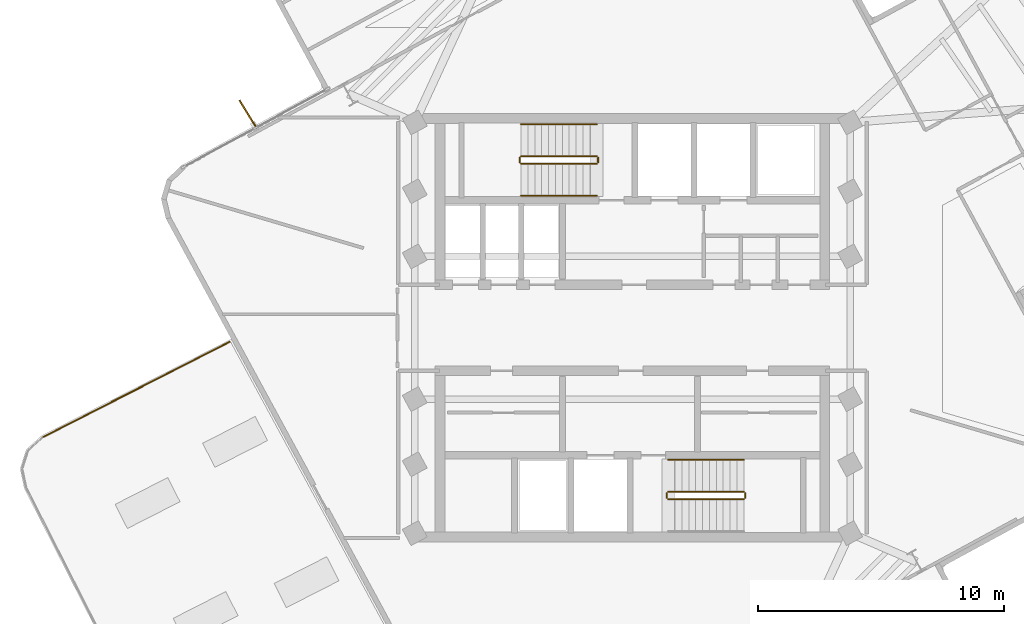
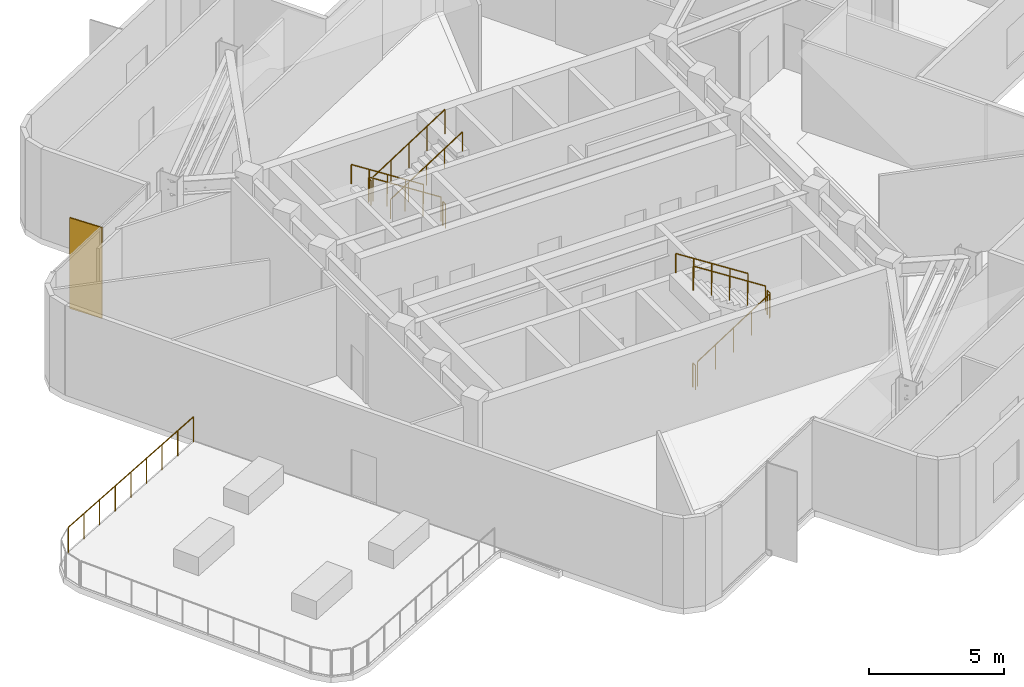
# One storey, part 8 of 10: 12 railings, 1 shading device.
"""IFC4 building model written with IfcOpenShell, lengths in metres."""

from ifc_helpers import new_model, si_unit, direction, frame, origin, origin_2d, place, context, subcontext, project, spatial, rectangle, circle, extrude, material, layer, layer_set, type_object, element, save


model = new_model("IFC4")

# Units and contexts
model_context = context("Model", 3, precision=1e-05, world=origin(), true_north=direction((0.0, 1.0)))
body_context = subcontext(model_context, "Body", "Model", "MODEL_VIEW")
ifc_project = project(units=[si_unit("LENGTHUNIT", "METRE"), si_unit("AREAUNIT", "SQUARE_METRE"), si_unit("VOLUMEUNIT", "CUBIC_METRE"), si_unit("PLANEANGLEUNIT", "RADIAN"), si_unit("MASSUNIT", "GRAM", prefix="KILO")], contexts=[model_context])

# Site, building, storey
site_placement = place(None, origin())
site = spatial("IfcSite", under=ifc_project, at=site_placement, CompositionType="ELEMENT")
building_placement = place(site_placement, origin())
building = spatial("IfcBuilding", under=site, at=building_placement, Name="Solmarez Civic Tower", CompositionType="ELEMENT")
storey_placement = place(building_placement, frame((0.0, 0.0, 200.8798828125)))
storey = spatial("IfcBuildingStorey", under=building, at=storey_placement, Name="L53", CompositionType="ELEMENT", Elevation=200.8798828125)

# Shading device
ifc_material_1 = material(Name="Bronze Anodised Aluminium EN AW-6063 T6", Category="aluminium")
ifc_layer = layer(ifc_material_1, 0.054931640625)
ifc_layer_set = layer_set([ifc_layer], Name="Bronze Anodised Aluminium EN AW-6063 T6")
shading_device_type = type_object("IfcShadingDeviceType", Name="FIN-BRONZE-Z56", PredefinedType="USERDEFINED", material=ifc_layer_set)
shading_device_placement = place(storey_placement, frame((-15.6220703125, 8.672119140625, -0.0400390625), z_axis=(0.0, 0.0, 1.0), x_axis=(-0.524312907, 0.851525675216, 0.0)))
element("IfcShadingDevice", 1, at=shading_device_placement, inside=storey, type_object=shading_device_type, Name="L53 Anodised Bronze Solar Fin FIN-L53-02", ObjectType="FIN", PredefinedType="USERDEFINED", context=body_context, shape_type="SweptSolid", body=[
    extrude(rectangle(XDim=1.35009765625, YDim=0.054931640625, at=origin_2d()), origin(), (0.0, 0.0, 1.0), 4.10009765625),
])

# Railings
ifc_material_2 = material(Name="Painted Steel Stairwell Safety Guard", Category="steel")
railing_type_1 = type_object("IfcRailingType", Name="GUARD-STAIR-1120", PredefinedType="BALUSTRADE", material=ifc_material_2)
railing_1_placement = place(storey_placement, frame((-1.449951171875, 6.969970703125, 0.18017578125)))
element("IfcRailing", 2, at=railing_1_placement, inside=storey, type_object=railing_type_1, Name="L53 ST-1 stair guard 1", PredefinedType="BALUSTRADE", context=body_context, shape_type="SweptSolid", body=[
    extrude(circle(Radius=0.02392578125, at=origin_2d()), frame((0.0, 0.0, 1.09619140625), z_axis=(-0.84118714077, 0.0, 0.540744111576), x_axis=(0.0, -1.0, 0.0)), (0.0, 0.0, 1.0), 3.66162109375),
    extrude(circle(Radius=0.02099609375, at=origin_2d()), origin(), (0.0, 0.0, 1.0), 1.072021484375),
    extrude(circle(Radius=0.02099609375, at=origin_2d()), frame((-0.77001953125, 0.0, 0.4951171875)), (0.0, 0.0, 1.0), 1.072021484375),
    extrude(circle(Radius=0.02099609375, at=origin_2d()), frame((-1.5400390625, 0.0, 0.989990234375)), (0.0, 0.0, 1.0), 1.072021484375),
    extrude(circle(Radius=0.02099609375, at=origin_2d()), frame((-2.31005859375, 0.0, 1.48486328125)), (0.0, 0.0, 1.0), 1.072021484375),
    extrude(circle(Radius=0.02099609375, at=origin_2d()), frame((-3.080078125, 0.0, 1.97998046875)), (0.0, 0.0, 1.0), 1.072021484375),
])
railing_2_placement = place(storey_placement, frame((-4.580078125, 6.919921875, 2.16015625)))
element("IfcRailing", 3, at=railing_2_placement, inside=storey, type_object=railing_type_1, Name="L53 ST-1 stair guard 2", PredefinedType="BALUSTRADE", context=body_context, shape_type="SweptSolid", body=[
    extrude(circle(Radius=0.02392578125, at=origin_2d()), frame((0.0, 0.0, 1.09619140625), z_axis=(0.0, -1.0, 0.0), x_axis=(1.0, 0.0, 0.0)), (0.0, 0.0, 1.0), 0.199951171875),
    extrude(circle(Radius=0.02099609375, at=origin_2d()), origin(), (0.0, 0.0, 1.0), 1.072021484375),
    extrude(circle(Radius=0.02099609375, at=origin_2d()), frame((0.0, -0.199951171875, 0.0)), (0.0, 0.0, 1.0), 1.072021484375),
])
railing_3_placement = place(storey_placement, frame((-4.530029296875, 6.669921875, 2.340087890625)))
element("IfcRailing", 4, at=railing_3_placement, inside=storey, type_object=railing_type_1, Name="L53 ST-1 stair guard 3", PredefinedType="BALUSTRADE", context=body_context, shape_type="SweptSolid", body=[
    extrude(circle(Radius=0.02392578125, at=origin_2d()), frame((0.0, 0.0, 1.09619140625), z_axis=(0.84118714077, 0.0, 0.540744111576), x_axis=(0.0, 1.0, 0.0)), (0.0, 0.0, 1.0), 3.66162109375),
    extrude(circle(Radius=0.02099609375, at=origin_2d()), origin(), (0.0, 0.0, 1.0), 1.072021484375),
    extrude(circle(Radius=0.02099609375, at=origin_2d()), frame((0.77001953125, 0.0, 0.4951171875)), (0.0, 0.0, 1.0), 1.072021484375),
    extrude(circle(Radius=0.02099609375, at=origin_2d()), frame((1.5400390625, 0.0, 0.989990234375)), (0.0, 0.0, 1.0), 1.072021484375),
    extrude(circle(Radius=0.02099609375, at=origin_2d()), frame((2.31005859375, 0.0, 1.48486328125)), (0.0, 0.0, 1.0), 1.072021484375),
    extrude(circle(Radius=0.02099609375, at=origin_2d()), frame((3.080078125, 0.0, 1.97998046875)), (0.0, 0.0, 1.0), 1.072021484375),
])
railing_4_placement = place(storey_placement, frame((-1.39990234375, 6.919921875, 0.0)))
element("IfcRailing", 5, at=railing_4_placement, inside=storey, type_object=railing_type_1, Name="L53 ST-1 stair guard 4", PredefinedType="BALUSTRADE", context=body_context, shape_type="SweptSolid", body=[
    extrude(circle(Radius=0.02392578125, at=origin_2d()), frame((0.0, 0.0, 1.09619140625), z_axis=(0.0, -1.0, 0.0), x_axis=(1.0, 0.0, 0.0)), (0.0, 0.0, 1.0), 0.199951171875),
    extrude(circle(Radius=0.02099609375, at=origin_2d()), origin(), (0.0, 0.0, 1.0), 1.072021484375),
    extrude(circle(Radius=0.02099609375, at=origin_2d()), frame((0.0, -0.199951171875, 0.0)), (0.0, 0.0, 1.0), 1.072021484375),
])
railing_5_placement = place(storey_placement, frame((1.449951171875, -6.969970703125, 0.18017578125)))
element("IfcRailing", 6, at=railing_5_placement, inside=storey, type_object=railing_type_1, Name="L53 ST-2 stair guard 1", PredefinedType="BALUSTRADE", context=body_context, shape_type="SweptSolid", body=[
    extrude(circle(Radius=0.02392578125, at=origin_2d()), frame((0.0, 0.0, 1.09619140625), z_axis=(0.84118714077, 0.0, 0.540744111576), x_axis=(0.0, 1.0, 0.0)), (0.0, 0.0, 1.0), 3.66162109375),
    extrude(circle(Radius=0.02099609375, at=origin_2d()), origin(), (0.0, 0.0, 1.0), 1.072021484375),
    extrude(circle(Radius=0.02099609375, at=origin_2d()), frame((0.77001953125, 0.0, 0.4951171875)), (0.0, 0.0, 1.0), 1.072021484375),
    extrude(circle(Radius=0.02099609375, at=origin_2d()), frame((1.5400390625, 0.0, 0.989990234375)), (0.0, 0.0, 1.0), 1.072021484375),
    extrude(circle(Radius=0.02099609375, at=origin_2d()), frame((2.31005859375, 0.0, 1.48486328125)), (0.0, 0.0, 1.0), 1.072021484375),
    extrude(circle(Radius=0.02099609375, at=origin_2d()), frame((3.080078125, 0.0, 1.97998046875)), (0.0, 0.0, 1.0), 1.072021484375),
])
railing_6_placement = place(storey_placement, frame((4.580078125, -6.919921875, 2.16015625)))
element("IfcRailing", 7, at=railing_6_placement, inside=storey, type_object=railing_type_1, Name="L53 ST-2 stair guard 2", PredefinedType="BALUSTRADE", context=body_context, shape_type="SweptSolid", body=[
    extrude(circle(Radius=0.02392578125, at=origin_2d()), frame((0.0, 0.0, 1.09619140625), z_axis=(0.0, 1.0, 0.0), x_axis=(-1.0, 0.0, 0.0)), (0.0, 0.0, 1.0), 0.199951171875),
    extrude(circle(Radius=0.02099609375, at=origin_2d()), origin(), (0.0, 0.0, 1.0), 1.072021484375),
    extrude(circle(Radius=0.02099609375, at=origin_2d()), frame((0.0, 0.199951171875, 0.0)), (0.0, 0.0, 1.0), 1.072021484375),
])
railing_7_placement = place(storey_placement, frame((4.530029296875, -6.669921875, 2.340087890625)))
element("IfcRailing", 8, at=railing_7_placement, inside=storey, type_object=railing_type_1, Name="L53 ST-2 stair guard 3", PredefinedType="BALUSTRADE", context=body_context, shape_type="SweptSolid", body=[
    extrude(circle(Radius=0.02392578125, at=origin_2d()), frame((0.0, 0.0, 1.09619140625), z_axis=(-0.84118714077, 0.0, 0.540744111576), x_axis=(0.0, -1.0, 0.0)), (0.0, 0.0, 1.0), 3.66162109375),
    extrude(circle(Radius=0.02099609375, at=origin_2d()), origin(), (0.0, 0.0, 1.0), 1.072021484375),
    extrude(circle(Radius=0.02099609375, at=origin_2d()), frame((-0.77001953125, 0.0, 0.4951171875)), (0.0, 0.0, 1.0), 1.072021484375),
    extrude(circle(Radius=0.02099609375, at=origin_2d()), frame((-1.5400390625, 0.0, 0.989990234375)), (0.0, 0.0, 1.0), 1.072021484375),
    extrude(circle(Radius=0.02099609375, at=origin_2d()), frame((-2.31005859375, 0.0, 1.48486328125)), (0.0, 0.0, 1.0), 1.072021484375),
    extrude(circle(Radius=0.02099609375, at=origin_2d()), frame((-3.080078125, 0.0, 1.97998046875)), (0.0, 0.0, 1.0), 1.072021484375),
])
railing_8_placement = place(storey_placement, frame((1.39990234375, -6.919921875, 0.0)))
element("IfcRailing", 9, at=railing_8_placement, inside=storey, type_object=railing_type_1, Name="L53 ST-2 stair guard 4", PredefinedType="BALUSTRADE", context=body_context, shape_type="SweptSolid", body=[
    extrude(circle(Radius=0.02392578125, at=origin_2d()), frame((0.0, 0.0, 1.09619140625), z_axis=(0.0, 1.0, 0.0), x_axis=(-1.0, 0.0, 0.0)), (0.0, 0.0, 1.0), 0.199951171875),
    extrude(circle(Radius=0.02099609375, at=origin_2d()), origin(), (0.0, 0.0, 1.0), 1.072021484375),
    extrude(circle(Radius=0.02099609375, at=origin_2d()), frame((0.0, 0.199951171875, 0.0)), (0.0, 0.0, 1.0), 1.072021484375),
])
ifc_material_3 = material(Name="Bronze Anodised Aluminium and Laminated Safety Glass Balustrade", Category="aluminium")
railing_type_2 = type_object("IfcRailingType", Name="GUARD-TERR-1180", PredefinedType="BALUSTRADE", material=ifc_material_3)
railing_9_placement = place(storey_placement, frame((-16.3759765625, -0.576904296875, 0.0)))
element("IfcRailing", 10, at=railing_9_placement, inside=storey, type_object=railing_type_2, Name="L53 Safety Balustrade GRD-SKYGARDEN-L53-9", PredefinedType="BALUSTRADE", context=body_context, shape_type="SweptSolid", body=[
    extrude(circle(Radius=0.02392578125, at=origin_2d()), frame((0.0, 0.0, 1.15576171875), z_axis=(-0.891006617359, -0.453990316881, 0.0), x_axis=(0.453990316881, -0.891006617359, 0.0)), (0.0, 0.0, 1.0), 8.50048828125),
    extrude(circle(Radius=0.02099609375, at=origin_2d()), origin(), (0.0, 0.0, 1.0), 1.1318359375),
    extrude(circle(Radius=0.02099609375, at=origin_2d()), frame((-0.94677734375, -0.482421875, 0.0)), (0.0, 0.0, 1.0), 1.1318359375),
    extrude(circle(Radius=0.02099609375, at=origin_2d()), frame((-1.8935546875, -0.96484375, 0.0)), (0.0, 0.0, 1.0), 1.1318359375),
    extrude(circle(Radius=0.02099609375, at=origin_2d()), frame((-2.84033203125, -1.447265625, 0.0)), (0.0, 0.0, 1.0), 1.1318359375),
    extrude(circle(Radius=0.02099609375, at=origin_2d()), frame((-3.787109375, -1.9296875, 0.0)), (0.0, 0.0, 1.0), 1.1318359375),
    extrude(circle(Radius=0.02099609375, at=origin_2d()), frame((-4.733642578125, -2.411865234375, 0.0)), (0.0, 0.0, 1.0), 1.1318359375),
    extrude(circle(Radius=0.02099609375, at=origin_2d()), frame((-5.680419921875, -2.894287109375, 0.0)), (0.0, 0.0, 1.0), 1.1318359375),
    extrude(circle(Radius=0.02099609375, at=origin_2d()), frame((-6.627197265625, -3.376708984375, 0.0)), (0.0, 0.0, 1.0), 1.1318359375),
    extrude(circle(Radius=0.02099609375, at=origin_2d()), frame((-7.573974609375, -3.859130859375, 0.0)), (0.0, 0.0, 1.0), 1.1318359375),
])
ifc_material_4 = material(Name="Brushed Stainless Steel Tube Handrail", Category="steel")
railing_type_3 = type_object("IfcRailingType", Name="HANDRAIL-STAIR-900", PredefinedType="HANDRAIL", material=ifc_material_4)
railing_10_placement = place(storey_placement, frame((-1.449951171875, 8.27001953125, 0.18017578125)))
element("IfcRailing", 11, at=railing_10_placement, inside=storey, type_object=railing_type_3, Name="L53 ST-1 stair handrail 1", PredefinedType="HANDRAIL", context=body_context, shape_type="SweptSolid", body=[
    extrude(circle(Radius=0.02392578125, at=origin_2d()), frame((0.0, 0.0, 0.8759765625), z_axis=(-0.84118714077, 0.0, 0.540744111576), x_axis=(0.0, -1.0, 0.0)), (0.0, 0.0, 1.0), 3.66162109375),
    extrude(circle(Radius=0.02099609375, at=origin_2d()), origin(), (0.0, 0.0, 1.0), 0.851806640625),
    extrude(circle(Radius=0.02099609375, at=origin_2d()), frame((-0.77001953125, 0.0, 0.4951171875)), (0.0, 0.0, 1.0), 0.851806640625),
    extrude(circle(Radius=0.02099609375, at=origin_2d()), frame((-1.5400390625, 0.0, 0.989990234375)), (0.0, 0.0, 1.0), 0.851806640625),
    extrude(circle(Radius=0.02099609375, at=origin_2d()), frame((-2.31005859375, 0.0, 1.48486328125)), (0.0, 0.0, 1.0), 0.851806640625),
    extrude(circle(Radius=0.02099609375, at=origin_2d()), frame((-3.080078125, 0.0, 1.97998046875)), (0.0, 0.0, 1.0), 0.851806640625),
])
railing_11_placement = place(storey_placement, frame((-4.530029296875, 5.3701171875, 2.340087890625)))
element("IfcRailing", 12, at=railing_11_placement, inside=storey, type_object=railing_type_3, Name="L53 ST-1 stair handrail 2", PredefinedType="HANDRAIL", context=body_context, shape_type="SweptSolid", body=[
    extrude(circle(Radius=0.02392578125, at=origin_2d()), frame((0.0, 0.0, 0.8759765625), z_axis=(0.84118714077, 0.0, 0.540744111576), x_axis=(0.0, 1.0, 0.0)), (0.0, 0.0, 1.0), 3.66162109375),
    extrude(circle(Radius=0.02099609375, at=origin_2d()), origin(), (0.0, 0.0, 1.0), 0.851806640625),
    extrude(circle(Radius=0.02099609375, at=origin_2d()), frame((0.77001953125, 0.0, 0.4951171875)), (0.0, 0.0, 1.0), 0.851806640625),
    extrude(circle(Radius=0.02099609375, at=origin_2d()), frame((1.5400390625, 0.0, 0.989990234375)), (0.0, 0.0, 1.0), 0.851806640625),
    extrude(circle(Radius=0.02099609375, at=origin_2d()), frame((2.31005859375, 0.0, 1.48486328125)), (0.0, 0.0, 1.0), 0.851806640625),
    extrude(circle(Radius=0.02099609375, at=origin_2d()), frame((3.080078125, 0.0, 1.97998046875)), (0.0, 0.0, 1.0), 0.851806640625),
])
railing_12_placement = place(storey_placement, frame((4.530029296875, -5.3701171875, 2.340087890625)))
element("IfcRailing", 13, at=railing_12_placement, inside=storey, type_object=railing_type_3, Name="L53 ST-2 stair handrail 2", PredefinedType="HANDRAIL", context=body_context, shape_type="SweptSolid", body=[
    extrude(circle(Radius=0.02392578125, at=origin_2d()), frame((0.0, 0.0, 0.8759765625), z_axis=(-0.84118714077, 0.0, 0.540744111576), x_axis=(0.0, -1.0, 0.0)), (0.0, 0.0, 1.0), 3.66162109375),
    extrude(circle(Radius=0.02099609375, at=origin_2d()), origin(), (0.0, 0.0, 1.0), 0.851806640625),
    extrude(circle(Radius=0.02099609375, at=origin_2d()), frame((-0.77001953125, 0.0, 0.4951171875)), (0.0, 0.0, 1.0), 0.851806640625),
    extrude(circle(Radius=0.02099609375, at=origin_2d()), frame((-1.5400390625, 0.0, 0.989990234375)), (0.0, 0.0, 1.0), 0.851806640625),
    extrude(circle(Radius=0.02099609375, at=origin_2d()), frame((-2.31005859375, 0.0, 1.48486328125)), (0.0, 0.0, 1.0), 0.851806640625),
    extrude(circle(Radius=0.02099609375, at=origin_2d()), frame((-3.080078125, 0.0, 1.97998046875)), (0.0, 0.0, 1.0), 0.851806640625),
])

save(model, "model.ifc")
